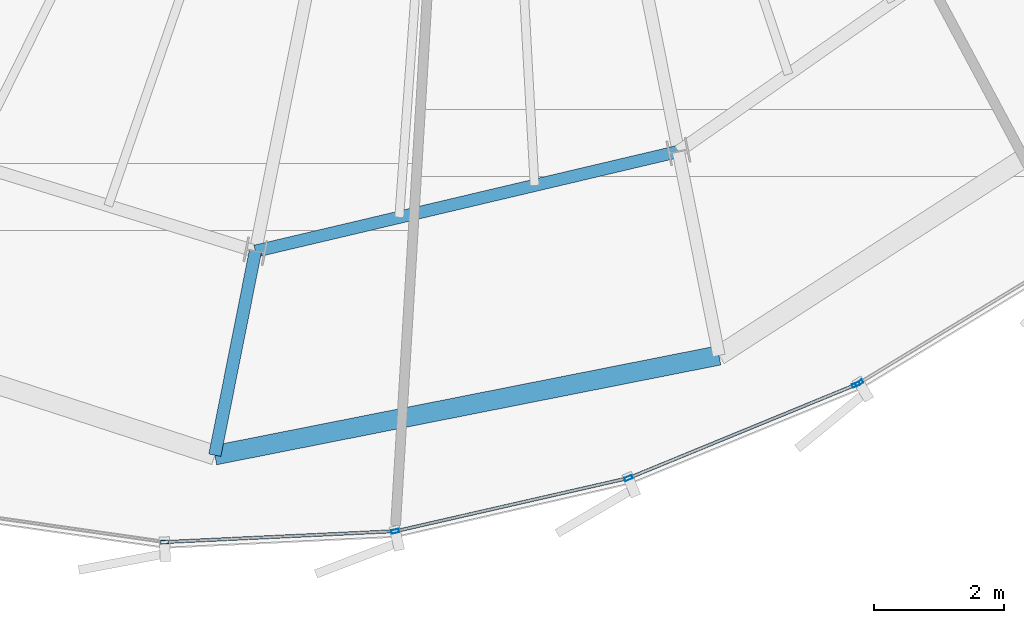
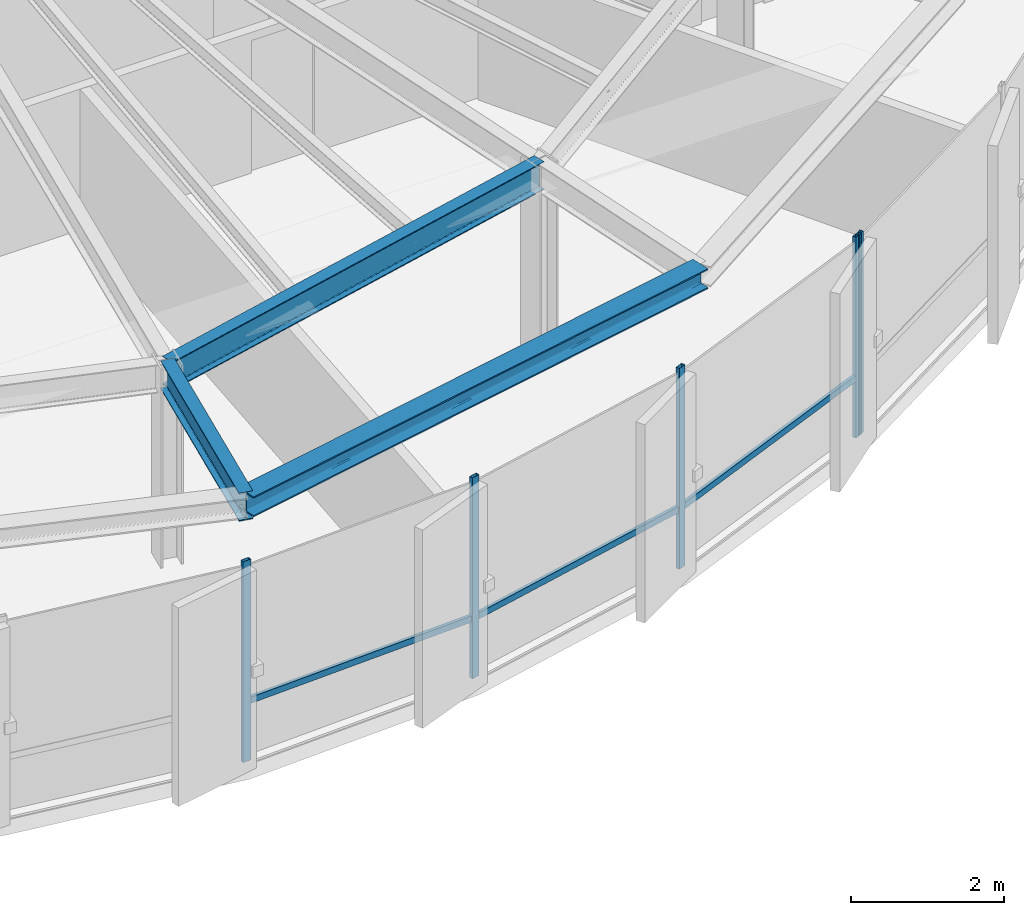
# One storey, part 6 of 35: 8 members, 3 beams, 2 elements without a shape of their own.
"""IFC4 building model written with IfcOpenShell, lengths in metres."""

from ifc_helpers import new_model, si_unit, direction, frame, origin, origin_2d, place, context, subcontext, project, spatial, hollow_rectangle, i_section, extrude, source, transform, mapped, material, layer, layer_set, material_profile, profile_set, type_object, element, aggregate, save


model = new_model("IFC4")

# Units and contexts
model_context = context("Model", 3, precision=1e-05, world=origin(), true_north=direction((0.0, 1.0)))
body_context = subcontext(model_context, "Body", "Model", "MODEL_VIEW")
ifc_project = project(units=[si_unit("LENGTHUNIT", "METRE"), si_unit("AREAUNIT", "SQUARE_METRE"), si_unit("VOLUMEUNIT", "CUBIC_METRE"), si_unit("PLANEANGLEUNIT", "RADIAN"), si_unit("MASSUNIT", "GRAM", prefix="KILO"), si_unit("THERMODYNAMICTEMPERATUREUNIT", "KELVIN")], contexts=[model_context])

# Site, building, storey
site_placement = place(None, origin())
site = spatial("IfcSite", under=ifc_project, at=site_placement, CompositionType="ELEMENT")
building_placement = place(site_placement, origin())
building = spatial("IfcBuilding", under=site, at=building_placement, Name="Kethvar Cultural Tower", CompositionType="ELEMENT")
storey_placement = place(building_placement, frame((0.0, 0.0, 245.64990234375)))
storey = spatial("IfcBuildingStorey", under=building, at=storey_placement, Name="L64", CompositionType="ELEMENT", Elevation=245.64990234375)

# Beams
ifc_material_1 = material(Name="Steel S355J2", Category="steel")
ifc_material_profile_1 = material_profile(ifc_material_1, i_section(OverallWidth=0.18994140625, OverallDepth=0.449951171875, WebThickness=0.009521484375, FlangeThickness=0.0146484375, FilletRadius=0.02099609375, at=origin_2d()), Name="Steel S355J2 — IPE450")
ifc_profile_set_1 = profile_set([ifc_material_profile_1], Name="Steel S355J2 — IPE450")
beam_type_1 = type_object("IfcBeamType", Name="BM-IPE450", PredefinedType="BEAM", material=ifc_profile_set_1)
shared_shape_1 = source(origin(), body_context, "Body", "SweptSolid", [
    extrude(i_section(OverallWidth=0.18994140625, OverallDepth=0.449951171875, WebThickness=0.009521484375, FlangeThickness=0.0146484375, FilletRadius=0.02099609375, at=origin_2d()), origin(), (0.0, 0.0, 1.0), 3.2001953125),
])
beam_1_placement = place(storey_placement, frame((43.392822265625, 10.67138671875, 2.983154296875), z_axis=(-0.195074368086, -0.980788453702, 0.0), x_axis=(0.980788453702, -0.195074368086, 0.0)))
element("IfcBeam", 1, at=beam_1_placement, inside=storey, type_object=beam_type_1, Name="L64 Perimeter Cantilever Beam RC-12", PredefinedType="BEAM", context=body_context, shape_type="MappedRepresentation", body=[
    mapped(shared_shape_1, transform((0.0, 0.0, 0.0), scale=1.0)),
])
shared_shape_2 = source(origin(), body_context, "Body", "SweptSolid", [
    extrude(i_section(OverallWidth=0.18994140625, OverallDepth=0.449951171875, WebThickness=0.009521484375, FlangeThickness=0.0146484375, FilletRadius=0.02099609375, at=origin_2d()), origin(), (0.0, 0.0, 1.0), 6.6875),
])
beam_2_placement = place(storey_placement, frame((43.392822265625, 10.67138671875, 2.983154296875), z_axis=(0.973286301494, 0.22959480683, 0.0), x_axis=(-0.22959480683, 0.973286301494, 0.0)))
element("IfcBeam", 2, at=beam_2_placement, inside=storey, type_object=beam_type_1, Name="L64 Column Ring Tie Beam CR-12", PredefinedType="BEAM", context=body_context, shape_type="MappedRepresentation", body=[
    mapped(shared_shape_2, transform((0.0, 0.0, 0.0), scale=1.0)),
])
ifc_material_profile_2 = material_profile(ifc_material_1, i_section(OverallWidth=0.300048828125, OverallDepth=0.320068359375, WebThickness=0.011474609375, FlangeThickness=0.0205078125, FilletRadius=0.027099609375, at=origin_2d()), Name="Steel S355J2 — HEB320")
ifc_profile_set_2 = profile_set([ifc_material_profile_2], Name="Steel S355J2 — HEB320")
beam_type_2 = type_object("IfcBeamType", Name="BM-SP320", PredefinedType="SPANDREL", material=ifc_profile_set_2)
shared_shape_3 = source(origin(), body_context, "Body", "SweptSolid", [
    extrude(i_section(OverallWidth=0.300048828125, OverallDepth=0.320068359375, WebThickness=0.011474609375, FlangeThickness=0.0205078125, FilletRadius=0.027099609375, at=origin_2d()), origin(), (0.0, 0.0, 1.0), 7.907958984375),
])
beam_3_placement = place(storey_placement, frame((42.7685546875, 7.53271484375, 3.048095703125), z_axis=(0.980963515828, 0.194192122948, 0.0), x_axis=(-0.194192122948, 0.980963515828, 0.0)))
element("IfcBeam", 3, at=beam_3_placement, inside=storey, type_object=beam_type_2, Name="L64 Perimeter Spandrel Beam SP-12", PredefinedType="SPANDREL", context=body_context, shape_type="MappedRepresentation", body=[
    mapped(shared_shape_3, transform((0.0, 0.0, 0.0), scale=1.0)),
])

# Curtain wall, members
ifc_material_2 = material(Name="Aluminium 6063-T6", Category="aluminium")
ifc_layer = layer(ifc_material_2, 0.179931640625, Name="Aluminium 6063-T6", Category="aluminium")
ifc_layer_set = layer_set([ifc_layer], Name="Aluminium 6063-T6 (180 mm)")
curtain_wall_type = type_object("IfcCurtainWallType", Name="CW-SYS-05-Z56", PredefinedType="NOTDEFINED", material=ifc_layer_set)
curtain_wall_1_placement = place(storey_placement, origin())
curtain_wall_1 = element("IfcCurtainWall", 4, at=curtain_wall_1_placement, inside=storey, type_object=curtain_wall_type, Name="L64 Curtain Wall Run 04", PredefinedType="NOTDEFINED")
ifc_material_profile_3 = material_profile(ifc_material_2, hollow_rectangle(XDim=0.054931640625, YDim=0.1201171875, WallThickness=0.00390625, at=origin_2d()), Name="Aluminium 6063-T6 — RHS120x55x4")
ifc_profile_set_3 = profile_set([ifc_material_profile_3], Name="Aluminium 6063-T6 — RHS120x55x4")
member_type_1 = type_object("IfcMemberType", Name="CW-SYS-05-Z56-MUL", PredefinedType="MULLION", material=ifc_profile_set_3)
shared_shape_4 = source(origin(), body_context, "Body", "SweptSolid", [
    extrude(hollow_rectangle(XDim=0.054931640625, YDim=0.1201171875, WallThickness=0.00390625, at=origin_2d()), origin(), (0.0, 0.0, 1.0), 3.210205078125),
])
member_1_placement = place(storey_placement, frame((41.994873046875, 6.1962890625, 0.0), z_axis=(0.0, 0.0, 1.0), x_axis=(-0.04712388462, 0.998889052647, 0.0)))
member_1 = element("IfcMember", 5, at=member_1_placement, type_object=member_type_1, Name="CW-L64-R04 Mullion 4", PredefinedType="MULLION", context=body_context, shape_type="MappedRepresentation", body=[
    mapped(shared_shape_4, transform((0.0, 0.0, 0.0), scale=1.0)),
])
member_2_placement = place(storey_placement, frame((45.544677734375, 6.3623046875, 0.0), z_axis=(0.0, 0.0, 1.0), x_axis=(-0.222501487395, 0.974932350528, 0.0)))
member_2 = element("IfcMember", 6, at=member_2_placement, type_object=member_type_1, Name="CW-L64-R04 Mullion 5", PredefinedType="MULLION", context=body_context, shape_type="MappedRepresentation", body=[
    mapped(shared_shape_4, transform((0.0, 0.0, 0.0), scale=1.0)),
])
member_3_placement = place(storey_placement, frame((49.1337890625, 7.179931640625, 0.0), z_axis=(0.0, 0.0, 1.0), x_axis=(-0.380166557627, 0.924918044187, 0.0)))
member_3 = element("IfcMember", 7, at=member_3_placement, type_object=member_type_1, Name="CW-L64-R04 Mullion 6", PredefinedType="MULLION", context=body_context, shape_type="MappedRepresentation", body=[
    mapped(shared_shape_4, transform((0.0, 0.0, 0.0), scale=1.0)),
])
member_4_placement = place(storey_placement, frame((52.633544921875, 8.618408203125, 0.0), z_axis=(0.0, 0.0, 1.0), x_axis=(-0.380166557627, 0.924918044187, 0.0)))
member_4 = element("IfcMember", 8, at=member_4_placement, type_object=member_type_1, Name="CW-L64-R04 Mullion 7", PredefinedType="MULLION", context=body_context, shape_type="MappedRepresentation", body=[
    mapped(shared_shape_4, transform((0.0, 0.0, 0.0), scale=1.0)),
])

# Curtain wall, member
curtain_wall_2_placement = place(storey_placement, origin())
curtain_wall_2 = element("IfcCurtainWall", 9, at=curtain_wall_2_placement, inside=storey, type_object=curtain_wall_type, Name="L64 Curtain Wall Run 05", PredefinedType="NOTDEFINED")
member_5_placement = place(storey_placement, frame((52.68310546875, 8.6435546875, 0.0), z_axis=(0.0, 0.0, 1.0), x_axis=(-0.519205901473, 0.854649186436, 0.0)))
member_5 = element("IfcMember", 10, at=member_5_placement, type_object=member_type_1, Name="CW-L64-R05 Mullion 1", PredefinedType="MULLION", context=body_context, shape_type="MappedRepresentation", body=[
    mapped(shared_shape_4, transform((0.0, 0.0, 0.0), scale=1.0)),
])
aggregate(curtain_wall_2, [member_5])

# Member
ifc_material_profile_4 = material_profile(ifc_material_2, hollow_rectangle(XDim=0.050048828125, YDim=0.10009765625, WallThickness=0.00390625, at=origin_2d()), Name="Aluminium 6063-T6 — RHS100x50x4")
ifc_profile_set_4 = profile_set([ifc_material_profile_4], Name="Aluminium 6063-T6 — RHS100x50x4")
member_type_2 = type_object("IfcMemberType", Name="CW-SYS-05-Z56-TRN", PredefinedType="USERDEFINED", material=ifc_profile_set_4)
shared_shape_5 = source(origin(), body_context, "Body", "SweptSolid", [
    extrude(hollow_rectangle(XDim=0.050048828125, YDim=0.10009765625, WallThickness=0.00390625, at=origin_2d()), origin(), (0.0, 0.0, 1.0), 3.6181640625),
])
member_6_placement = place(storey_placement, frame((45.58349609375, 6.37109375, 0.9501953125), z_axis=(0.974922959892, 0.222542630241, 0.0), x_axis=(-0.222542630241, 0.974922959892, 0.0)))
member_6 = element("IfcMember", 11, at=member_6_placement, type_object=member_type_2, Name="CW-L64-R04 Transom 5", ObjectType="TRANSOM", PredefinedType="USERDEFINED", context=body_context, shape_type="MappedRepresentation", body=[
    mapped(shared_shape_5, transform((0.0, 0.0, 0.0), scale=1.0)),
])

shared_shape_6 = source(origin(), body_context, "Body", "SweptSolid", [
    extrude(hollow_rectangle(XDim=0.050048828125, YDim=0.10009765625, WallThickness=0.00390625, at=origin_2d()), origin(), (0.0, 0.0, 1.0), 3.4921875),
])
member_7_placement = place(storey_placement, frame((42.034423828125, 6.1982421875, 0.9501953125), z_axis=(0.998889233316, 0.047120054819, 0.0), x_axis=(-0.047120054819, 0.998889233316, 0.0)))
member_7 = element("IfcMember", 12, at=member_7_placement, type_object=member_type_2, Name="CW-L64-R04 Transom 4", ObjectType="TRANSOM", PredefinedType="USERDEFINED", context=body_context, shape_type="MappedRepresentation", body=[
    mapped(shared_shape_6, transform((0.0, 0.0, 0.0), scale=1.0)),
])

shared_shape_7 = source(origin(), body_context, "Body", "SweptSolid", [
    extrude(hollow_rectangle(XDim=0.050048828125, YDim=0.10009765625, WallThickness=0.00390625, at=origin_2d()), origin(), (0.0, 0.0, 1.0), 3.740234375),
])
member_8_placement = place(storey_placement, frame((49.17041015625, 7.195068359375, 0.9501953125), z_axis=(0.924923935899, 0.380152223195, 0.0), x_axis=(-0.380152223195, 0.924923935899, 0.0)))
member_8 = element("IfcMember", 13, at=member_8_placement, type_object=member_type_2, Name="CW-L64-R04 Transom 6", ObjectType="TRANSOM", PredefinedType="USERDEFINED", context=body_context, shape_type="MappedRepresentation", body=[
    mapped(shared_shape_7, transform((0.0, 0.0, 0.0), scale=1.0)),
])

aggregate(curtain_wall_1, [member_1, member_2, member_3, member_4, member_7, member_6, member_8])

save(model, "model.ifc")
